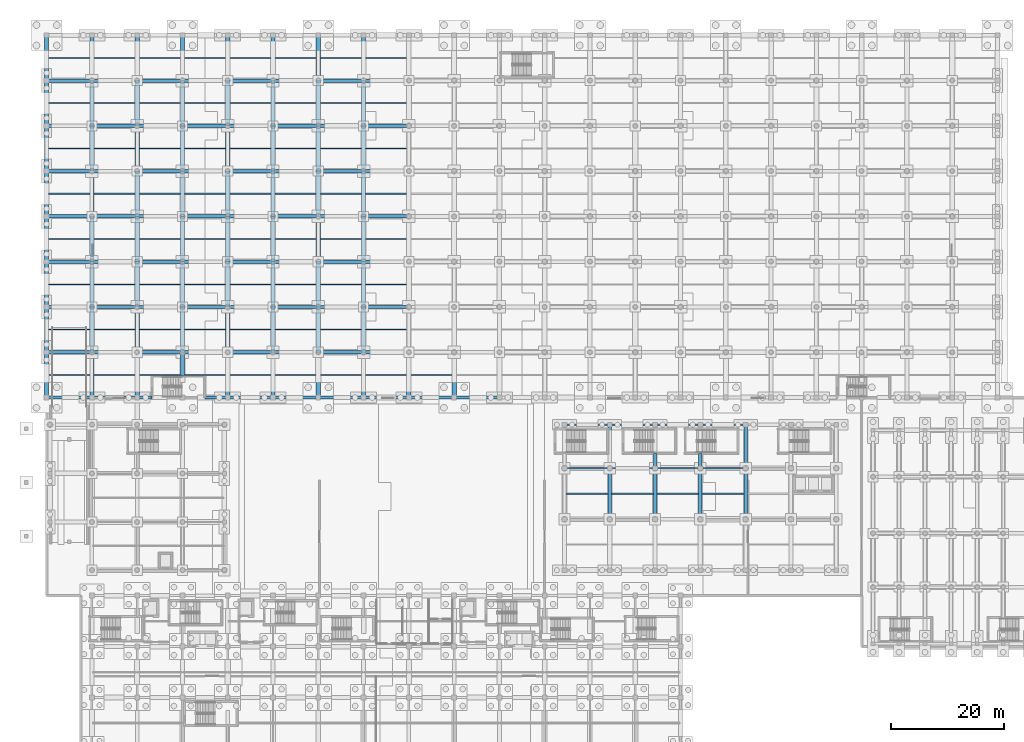
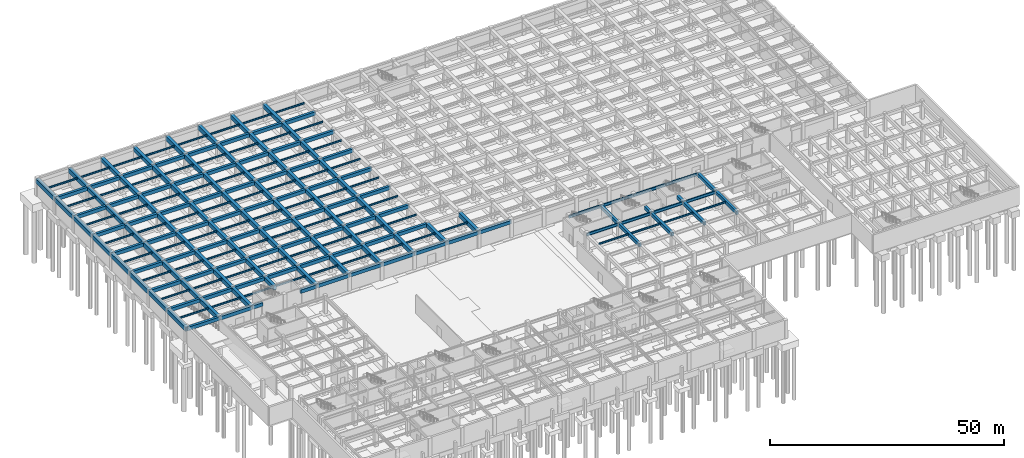
# One storey, part 20 of 48: 217 beams.
"""IFC4 building model written with IfcOpenShell, lengths in metres."""

from ifc_helpers import new_model, si_unit, direction, frame, origin, origin_2d, place, context, subcontext, project, spatial, rectangle, i_section, extrude, material, material_profile, profile_set, type_object, element, save


model = new_model("IFC4")

# Units and contexts
model_context = context("Model", 3, precision=1e-05, world=origin(), true_north=direction((0.0, 1.0)))
body_context = subcontext(model_context, "Body", "Model", "MODEL_VIEW")
ifc_project = project(units=[si_unit("LENGTHUNIT", "METRE"), si_unit("AREAUNIT", "SQUARE_METRE"), si_unit("VOLUMEUNIT", "CUBIC_METRE"), si_unit("PLANEANGLEUNIT", "RADIAN"), si_unit("MASSUNIT", "GRAM", prefix="KILO")], contexts=[model_context])

# Site, building, storey
site_placement = place(None, origin())
site = spatial("IfcSite", under=ifc_project, at=site_placement, CompositionType="ELEMENT")
building_placement = place(site_placement, origin())
building = spatial("IfcBuilding", under=site, at=building_placement, Name="Tlacozan Convention Centre", CompositionType="ELEMENT")
storey_placement = place(building_placement, frame((0.0, 0.0, -4.800048828125)))
storey = spatial("IfcBuildingStorey", under=building, at=storey_placement, Name="B01", CompositionType="ELEMENT", Elevation=-4.800048828125)

# Beams
ifc_material_1 = material(Name="Concrete C40/50", Category="concrete")
ifc_material_profile_1 = material_profile(ifc_material_1, rectangle(XDim=0.60009765625, YDim=0.89990234375, at=origin_2d()), Name="RC 600x900")
ifc_profile_set_1 = profile_set([ifc_material_profile_1], Name="Concrete C40/50")
beam_type_1 = type_object("IfcBeamType", Name="Girder RC 600x900", PredefinedType="BEAM", material=ifc_profile_set_1)
for number, where, z_axis, x_axis, name in (
    (1, (0.0, 62.0, 3.969970703125), (1.0, 0.0, 0.0), (0.0, 1.0, 0.0), "B01 Girder RC 600x900 945"),
    (2, (0.0, 70.0, 3.969970703125), (1.0, 0.0, 0.0), (0.0, 1.0, 0.0), "B01 Girder RC 600x900 946"),
    (3, (0.0, 78.0, 3.969970703125), (1.0, 0.0, 0.0), (0.0, 1.0, 0.0), "B01 Girder RC 600x900 947"),
    (4, (0.0, 86.0, 3.969970703125), (1.0, 0.0, 0.0), (0.0, 1.0, 0.0), "B01 Girder RC 600x900 948"),
    (5, (0.0, 94.0, 3.969970703125), (1.0, 0.0, 0.0), (0.0, 1.0, 0.0), "B01 Girder RC 600x900 949"),
    (6, (0.0, 102.0, 3.969970703125), (1.0, 0.0, 0.0), (0.0, 1.0, 0.0), "B01 Girder RC 600x900 950"),
    (7, (0.0, 110.0, 3.969970703125), (1.0, 0.0, 0.0), (0.0, 1.0, 0.0), "B01 Girder RC 600x900 951"),
    (8, (0.0, 118.0, 3.969970703125), (1.0, 0.0, 0.0), (0.0, 1.0, 0.0), "B01 Girder RC 600x900 952"),
    (9, (8.0, 62.0, 3.969970703125), (1.0, 0.0, 0.0), (0.0, 1.0, 0.0), "B01 Girder RC 600x900 962"),
    (10, (8.0, 70.0, 3.969970703125), (1.0, 0.0, 0.0), (0.0, 1.0, 0.0), "B01 Girder RC 600x900 963"),
    (11, (8.0, 78.0, 3.969970703125), (1.0, 0.0, 0.0), (0.0, 1.0, 0.0), "B01 Girder RC 600x900 964"),
    (12, (8.0, 86.0, 3.969970703125), (1.0, 0.0, 0.0), (0.0, 1.0, 0.0), "B01 Girder RC 600x900 965"),
    (13, (8.0, 94.0, 3.969970703125), (1.0, 0.0, 0.0), (0.0, 1.0, 0.0), "B01 Girder RC 600x900 966"),
    (14, (8.0, 102.0, 3.969970703125), (1.0, 0.0, 0.0), (0.0, 1.0, 0.0), "B01 Girder RC 600x900 967"),
    (15, (8.0, 110.0, 3.969970703125), (1.0, 0.0, 0.0), (0.0, 1.0, 0.0), "B01 Girder RC 600x900 968"),
    (16, (8.0, 118.0, 3.969970703125), (1.0, 0.0, 0.0), (0.0, 1.0, 0.0), "B01 Girder RC 600x900 969"),
):
    element("IfcBeam", number, at=place(storey_placement, frame(where, z_axis=z_axis, x_axis=x_axis)), inside=storey, type_object=beam_type_1, Name=name, PredefinedType="BEAM", context=body_context, shape_type="SweptSolid", body=[
        extrude(rectangle(XDim=0.60009765625, YDim=0.89990234375, at=origin_2d()), origin(), (0.0, 0.0, 1.0), 8.0),
    ])
beam_1_placement = place(storey_placement, frame((16.0, 62.0, 3.969970703125), z_axis=(1.0, 0.0, 0.0), x_axis=(0.0, 1.0, 0.0)))
element("IfcBeam", 17, at=beam_1_placement, inside=storey, type_object=beam_type_1, Name="B01 Girder RC 600x900 979", PredefinedType="BEAM", context=body_context, shape_type="SweptSolid", body=[
    extrude(rectangle(XDim=0.60009765625, YDim=0.89990234375, at=origin_2d()), origin(), (0.0, 0.0, 1.0), 2.639892578125),
])
for number, where, z_axis, x_axis, name in (
    (18, (16.0, 70.0, 3.969970703125), (1.0, 0.0, 0.0), (0.0, 1.0, 0.0), "B01 Girder RC 600x900 980"),
    (19, (16.0, 78.0, 3.969970703125), (1.0, 0.0, 0.0), (0.0, 1.0, 0.0), "B01 Girder RC 600x900 981"),
    (20, (16.0, 86.0, 3.969970703125), (1.0, 0.0, 0.0), (0.0, 1.0, 0.0), "B01 Girder RC 600x900 982"),
    (21, (16.0, 94.0, 3.969970703125), (1.0, 0.0, 0.0), (0.0, 1.0, 0.0), "B01 Girder RC 600x900 983"),
    (22, (16.0, 102.0, 3.969970703125), (1.0, 0.0, 0.0), (0.0, 1.0, 0.0), "B01 Girder RC 600x900 984"),
    (23, (16.0, 110.0, 3.969970703125), (1.0, 0.0, 0.0), (0.0, 1.0, 0.0), "B01 Girder RC 600x900 985"),
    (24, (16.0, 118.0, 3.969970703125), (1.0, 0.0, 0.0), (0.0, 1.0, 0.0), "B01 Girder RC 600x900 986"),
):
    element("IfcBeam", number, at=place(storey_placement, frame(where, z_axis=z_axis, x_axis=x_axis)), inside=storey, type_object=beam_type_1, Name=name, PredefinedType="BEAM", context=body_context, shape_type="SweptSolid", body=[
        extrude(rectangle(XDim=0.60009765625, YDim=0.89990234375, at=origin_2d()), origin(), (0.0, 0.0, 1.0), 8.0),
    ])
beam_2_placement = place(storey_placement, frame((27.9599609375, 62.0, 3.969970703125), z_axis=(1.0, 0.0, 0.0), x_axis=(0.0, 1.0, 0.0)))
element("IfcBeam", 25, at=beam_2_placement, inside=storey, type_object=beam_type_1, Name="B01 Girder RC 600x900 996", PredefinedType="BEAM", context=body_context, shape_type="SweptSolid", body=[
    extrude(rectangle(XDim=0.60009765625, YDim=0.89990234375, at=origin_2d()), origin(), (0.0, 0.0, 1.0), 4.0400390625),
])
for number, where, z_axis, x_axis, name in (
    (26, (24.0, 70.0, 3.969970703125), (1.0, 0.0, 0.0), (0.0, 1.0, 0.0), "B01 Girder RC 600x900 997"),
    (27, (24.0, 78.0, 3.969970703125), (1.0, 0.0, 0.0), (0.0, 1.0, 0.0), "B01 Girder RC 600x900 998"),
    (28, (24.0, 86.0, 3.969970703125), (1.0, 0.0, 0.0), (0.0, 1.0, 0.0), "B01 Girder RC 600x900 999"),
    (29, (24.0, 94.0, 3.969970703125), (1.0, 0.0, 0.0), (0.0, 1.0, 0.0), "B01 Girder RC 600x900 1000"),
    (30, (24.0, 102.0, 3.969970703125), (1.0, 0.0, 0.0), (0.0, 1.0, 0.0), "B01 Girder RC 600x900 1001"),
    (31, (24.0, 110.0, 3.969970703125), (1.0, 0.0, 0.0), (0.0, 1.0, 0.0), "B01 Girder RC 600x900 1002"),
    (32, (24.0, 118.0, 3.969970703125), (1.0, 0.0, 0.0), (0.0, 1.0, 0.0), "B01 Girder RC 600x900 1003"),
    (33, (32.0, 62.0, 3.969970703125), (1.0, 0.0, 0.0), (0.0, 1.0, 0.0), "B01 Girder RC 600x900 1013"),
    (34, (32.0, 70.0, 3.969970703125), (1.0, 0.0, 0.0), (0.0, 1.0, 0.0), "B01 Girder RC 600x900 1014"),
    (35, (32.0, 78.0, 3.969970703125), (1.0, 0.0, 0.0), (0.0, 1.0, 0.0), "B01 Girder RC 600x900 1015"),
    (36, (32.0, 86.0, 3.969970703125), (1.0, 0.0, 0.0), (0.0, 1.0, 0.0), "B01 Girder RC 600x900 1016"),
    (37, (32.0, 94.0, 3.969970703125), (1.0, 0.0, 0.0), (0.0, 1.0, 0.0), "B01 Girder RC 600x900 1017"),
    (38, (32.0, 102.0, 3.969970703125), (1.0, 0.0, 0.0), (0.0, 1.0, 0.0), "B01 Girder RC 600x900 1018"),
    (39, (32.0, 110.0, 3.969970703125), (1.0, 0.0, 0.0), (0.0, 1.0, 0.0), "B01 Girder RC 600x900 1019"),
    (40, (32.0, 118.0, 3.969970703125), (1.0, 0.0, 0.0), (0.0, 1.0, 0.0), "B01 Girder RC 600x900 1020"),
    (41, (40.0, 62.0, 3.969970703125), (1.0, 0.0, 0.0), (0.0, 1.0, 0.0), "B01 Girder RC 600x900 1030"),
    (42, (40.0, 70.0, 3.969970703125), (1.0, 0.0, 0.0), (0.0, 1.0, 0.0), "B01 Girder RC 600x900 1031"),
    (43, (40.0, 78.0, 3.969970703125), (1.0, 0.0, 0.0), (0.0, 1.0, 0.0), "B01 Girder RC 600x900 1032"),
    (44, (40.0, 86.0, 3.969970703125), (1.0, 0.0, 0.0), (0.0, 1.0, 0.0), "B01 Girder RC 600x900 1033"),
    (45, (40.0, 94.0, 3.969970703125), (1.0, 0.0, 0.0), (0.0, 1.0, 0.0), "B01 Girder RC 600x900 1034"),
    (46, (40.0, 102.0, 3.969970703125), (1.0, 0.0, 0.0), (0.0, 1.0, 0.0), "B01 Girder RC 600x900 1035"),
    (47, (40.0, 110.0, 3.969970703125), (1.0, 0.0, 0.0), (0.0, 1.0, 0.0), "B01 Girder RC 600x900 1036"),
    (48, (40.0, 118.0, 3.969970703125), (1.0, 0.0, 0.0), (0.0, 1.0, 0.0), "B01 Girder RC 600x900 1037"),
    (49, (48.0, 62.0, 3.969970703125), (1.0, 0.0, 0.0), (0.0, 1.0, 0.0), "B01 Girder RC 600x900 1047"),
    (50, (48.0, 70.0, 3.969970703125), (1.0, 0.0, 0.0), (0.0, 1.0, 0.0), "B01 Girder RC 600x900 1048"),
    (51, (48.0, 78.0, 3.969970703125), (1.0, 0.0, 0.0), (0.0, 1.0, 0.0), "B01 Girder RC 600x900 1049"),
    (52, (48.0, 86.0, 3.969970703125), (1.0, 0.0, 0.0), (0.0, 1.0, 0.0), "B01 Girder RC 600x900 1050"),
    (53, (48.0, 94.0, 3.969970703125), (1.0, 0.0, 0.0), (0.0, 1.0, 0.0), "B01 Girder RC 600x900 1051"),
    (54, (48.0, 102.0, 3.969970703125), (1.0, 0.0, 0.0), (0.0, 1.0, 0.0), "B01 Girder RC 600x900 1052"),
    (55, (48.0, 110.0, 3.969970703125), (1.0, 0.0, 0.0), (0.0, 1.0, 0.0), "B01 Girder RC 600x900 1053"),
    (56, (48.0, 118.0, 3.969970703125), (1.0, 0.0, 0.0), (0.0, 1.0, 0.0), "B01 Girder RC 600x900 1054"),
    (57, (56.0, 62.0, 3.969970703125), (1.0, 0.0, 0.0), (0.0, 1.0, 0.0), "B01 Girder RC 600x900 1064"),
    (58, (56.0, 70.0, 3.969970703125), (1.0, 0.0, 0.0), (0.0, 1.0, 0.0), "B01 Girder RC 600x900 1065"),
    (59, (56.0, 78.0, 3.969970703125), (1.0, 0.0, 0.0), (0.0, 1.0, 0.0), "B01 Girder RC 600x900 1066"),
    (60, (56.0, 86.0, 3.969970703125), (1.0, 0.0, 0.0), (0.0, 1.0, 0.0), "B01 Girder RC 600x900 1067"),
    (61, (56.0, 94.0, 3.969970703125), (1.0, 0.0, 0.0), (0.0, 1.0, 0.0), "B01 Girder RC 600x900 1068"),
    (62, (56.0, 102.0, 3.969970703125), (1.0, 0.0, 0.0), (0.0, 1.0, 0.0), "B01 Girder RC 600x900 1069"),
    (63, (56.0, 110.0, 3.969970703125), (1.0, 0.0, 0.0), (0.0, 1.0, 0.0), "B01 Girder RC 600x900 1070"),
    (64, (56.0, 118.0, 3.969970703125), (1.0, 0.0, 0.0), (0.0, 1.0, 0.0), "B01 Girder RC 600x900 1071"),
    (65, (64.0, 62.0, 3.969970703125), (1.0, 0.0, 0.0), (0.0, 1.0, 0.0), "B01 Girder RC 600x900 1081"),
    (66, (72.0, 62.0, 3.969970703125), (1.0, 0.0, 0.0), (0.0, 1.0, 0.0), "B01 Girder RC 600x900 1098"),
):
    element("IfcBeam", number, at=place(storey_placement, frame(where, z_axis=z_axis, x_axis=x_axis)), inside=storey, type_object=beam_type_1, Name=name, PredefinedType="BEAM", context=body_context, shape_type="SweptSolid", body=[
        extrude(rectangle(XDim=0.60009765625, YDim=0.89990234375, at=origin_2d()), origin(), (0.0, 0.0, 1.0), 8.0),
    ])
beam_3_placement = place(storey_placement, frame((99.5, 40.5, 3.989990234375), z_axis=(0.0, 1.0, 0.0), x_axis=(-1.0, 0.0, 0.0)))
element("IfcBeam", 67, at=beam_3_placement, inside=storey, type_object=beam_type_1, Name="B01 Girder RC 600x900 1355", PredefinedType="BEAM", context=body_context, shape_type="SweptSolid", body=[
    extrude(rectangle(XDim=0.60009765625, YDim=0.89990234375, at=origin_2d()), origin(), (0.0, 0.0, 1.0), 9.0),
])
beam_4_placement = place(storey_placement, frame((99.5, 49.5, 3.989990234375), z_axis=(0.0, 1.0, 0.0), x_axis=(-1.0, 0.0, 0.0)))
element("IfcBeam", 68, at=beam_4_placement, inside=storey, type_object=beam_type_1, Name="B01 Girder RC 600x900 1356", PredefinedType="BEAM", context=body_context, shape_type="SweptSolid", body=[
    extrude(rectangle(XDim=0.60009765625, YDim=0.89990234375, at=origin_2d()), origin(), (0.0, 0.0, 1.0), 7.699951171875),
])
beam_5_placement = place(storey_placement, frame((107.5, 40.5, 3.989990234375), z_axis=(0.0, 1.0, 0.0), x_axis=(-1.0, 0.0, 0.0)))
element("IfcBeam", 69, at=beam_5_placement, inside=storey, type_object=beam_type_1, Name="B01 Girder RC 600x900 1358", PredefinedType="BEAM", context=body_context, shape_type="SweptSolid", body=[
    extrude(rectangle(XDim=0.60009765625, YDim=0.89990234375, at=origin_2d()), origin(), (0.0, 0.0, 1.0), 9.0),
])
beam_6_placement = place(storey_placement, frame((107.5, 49.5, 3.989990234375), z_axis=(0.0, 1.0, 0.0), x_axis=(-1.0, 0.0, 0.0)))
element("IfcBeam", 70, at=beam_6_placement, inside=storey, type_object=beam_type_1, Name="B01 Girder RC 600x900 1359", PredefinedType="BEAM", context=body_context, shape_type="SweptSolid", body=[
    extrude(rectangle(XDim=0.60009765625, YDim=0.89990234375, at=origin_2d()), origin(), (0.0, 0.0, 1.0), 2.639892578125),
])
beam_7_placement = place(storey_placement, frame((115.5, 40.5, 3.989990234375), z_axis=(0.0, 1.0, 0.0), x_axis=(-1.0, 0.0, 0.0)))
element("IfcBeam", 71, at=beam_7_placement, inside=storey, type_object=beam_type_1, Name="B01 Girder RC 600x900 1361", PredefinedType="BEAM", context=body_context, shape_type="SweptSolid", body=[
    extrude(rectangle(XDim=0.60009765625, YDim=0.89990234375, at=origin_2d()), origin(), (0.0, 0.0, 1.0), 9.0),
])
beam_8_placement = place(storey_placement, frame((115.5, 49.5, 3.989990234375), z_axis=(0.0, 1.0, 0.0), x_axis=(-1.0, 0.0, 0.0)))
element("IfcBeam", 72, at=beam_8_placement, inside=storey, type_object=beam_type_1, Name="B01 Girder RC 600x900 1362", PredefinedType="BEAM", context=body_context, shape_type="SweptSolid", body=[
    extrude(rectangle(XDim=0.60009765625, YDim=0.89990234375, at=origin_2d()), origin(), (0.0, 0.0, 1.0), 2.639892578125),
])
beam_9_placement = place(storey_placement, frame((123.5, 40.5, 3.989990234375), z_axis=(0.0, 1.0, 0.0), x_axis=(-1.0, 0.0, 0.0)))
element("IfcBeam", 73, at=beam_9_placement, inside=storey, type_object=beam_type_1, Name="B01 Girder RC 600x900 1364", PredefinedType="BEAM", context=body_context, shape_type="SweptSolid", body=[
    extrude(rectangle(XDim=0.60009765625, YDim=0.89990234375, at=origin_2d()), origin(), (0.0, 0.0, 1.0), 9.0),
])
beam_10_placement = place(storey_placement, frame((123.5, 49.5, 3.989990234375), z_axis=(0.0, 1.0, 0.0), x_axis=(-1.0, 0.0, 0.0)))
element("IfcBeam", 74, at=beam_10_placement, inside=storey, type_object=beam_type_1, Name="B01 Girder RC 600x900 1365", PredefinedType="BEAM", context=body_context, shape_type="SweptSolid", body=[
    extrude(rectangle(XDim=0.60009765625, YDim=0.89990234375, at=origin_2d()), origin(), (0.0, 0.0, 1.0), 7.699951171875),
])
ifc_material_profile_2 = material_profile(ifc_material_1, rectangle(XDim=0.75, YDim=1.10009765625, at=origin_2d()), Name="RC 750x1100")
ifc_profile_set_2 = profile_set([ifc_material_profile_2], Name="Concrete C40/50")
beam_type_2 = type_object("IfcBeamType", Name="Girder RC 750x1100", PredefinedType="BEAM", material=ifc_profile_set_2)
for number, where, z_axis, x_axis, name in (
    (75, (0.0, 62.0, 3.8701171875), (0.0, 1.0, 0.0), (-1.0, 0.0, 0.0), "B01 Girder RC 750x1100 769"),
    (76, (0.0, 70.0, 3.8701171875), (0.0, 1.0, 0.0), (-1.0, 0.0, 0.0), "B01 Girder RC 750x1100 770"),
    (77, (0.0, 78.0, 3.8701171875), (0.0, 1.0, 0.0), (-1.0, 0.0, 0.0), "B01 Girder RC 750x1100 771"),
    (78, (0.0, 86.0, 3.8701171875), (0.0, 1.0, 0.0), (-1.0, 0.0, 0.0), "B01 Girder RC 750x1100 772"),
    (79, (0.0, 94.0, 3.8701171875), (0.0, 1.0, 0.0), (-1.0, 0.0, 0.0), "B01 Girder RC 750x1100 773"),
    (80, (0.0, 102.0, 3.8701171875), (0.0, 1.0, 0.0), (-1.0, 0.0, 0.0), "B01 Girder RC 750x1100 774"),
    (81, (0.0, 110.0, 3.8701171875), (0.0, 1.0, 0.0), (-1.0, 0.0, 0.0), "B01 Girder RC 750x1100 775"),
    (82, (0.0, 118.0, 3.8701171875), (0.0, 1.0, 0.0), (-1.0, 0.0, 0.0), "B01 Girder RC 750x1100 776"),
    (83, (8.0, 62.0, 3.8701171875), (0.0, 1.0, 0.0), (-1.0, 0.0, 0.0), "B01 Girder RC 750x1100 777"),
    (84, (8.0, 70.0, 3.8701171875), (0.0, 1.0, 0.0), (-1.0, 0.0, 0.0), "B01 Girder RC 750x1100 778"),
    (85, (8.0, 78.0, 3.8701171875), (0.0, 1.0, 0.0), (-1.0, 0.0, 0.0), "B01 Girder RC 750x1100 779"),
    (86, (8.0, 86.0, 3.8701171875), (0.0, 1.0, 0.0), (-1.0, 0.0, 0.0), "B01 Girder RC 750x1100 780"),
    (87, (8.0, 94.0, 3.8701171875), (0.0, 1.0, 0.0), (-1.0, 0.0, 0.0), "B01 Girder RC 750x1100 781"),
    (88, (8.0, 102.0, 3.8701171875), (0.0, 1.0, 0.0), (-1.0, 0.0, 0.0), "B01 Girder RC 750x1100 782"),
    (89, (8.0, 110.0, 3.8701171875), (0.0, 1.0, 0.0), (-1.0, 0.0, 0.0), "B01 Girder RC 750x1100 783"),
    (90, (8.0, 118.0, 3.8701171875), (0.0, 1.0, 0.0), (-1.0, 0.0, 0.0), "B01 Girder RC 750x1100 784"),
    (91, (16.0, 62.0, 3.8701171875), (0.0, 1.0, 0.0), (-1.0, 0.0, 0.0), "B01 Girder RC 750x1100 785"),
    (92, (16.0, 70.0, 3.8701171875), (0.0, 1.0, 0.0), (-1.0, 0.0, 0.0), "B01 Girder RC 750x1100 786"),
    (93, (16.0, 78.0, 3.8701171875), (0.0, 1.0, 0.0), (-1.0, 0.0, 0.0), "B01 Girder RC 750x1100 787"),
    (94, (16.0, 86.0, 3.8701171875), (0.0, 1.0, 0.0), (-1.0, 0.0, 0.0), "B01 Girder RC 750x1100 788"),
    (95, (16.0, 94.0, 3.8701171875), (0.0, 1.0, 0.0), (-1.0, 0.0, 0.0), "B01 Girder RC 750x1100 789"),
    (96, (16.0, 102.0, 3.8701171875), (0.0, 1.0, 0.0), (-1.0, 0.0, 0.0), "B01 Girder RC 750x1100 790"),
    (97, (16.0, 110.0, 3.8701171875), (0.0, 1.0, 0.0), (-1.0, 0.0, 0.0), "B01 Girder RC 750x1100 791"),
    (98, (16.0, 118.0, 3.8701171875), (0.0, 1.0, 0.0), (-1.0, 0.0, 0.0), "B01 Girder RC 750x1100 792"),
):
    element("IfcBeam", number, at=place(storey_placement, frame(where, z_axis=z_axis, x_axis=x_axis)), inside=storey, type_object=beam_type_2, Name=name, PredefinedType="BEAM", context=body_context, shape_type="SweptSolid", body=[
        extrude(rectangle(XDim=0.75, YDim=1.10009765625, at=origin_2d()), origin(), (0.0, 0.0, 1.0), 8.0),
    ])
beam_11_placement = place(storey_placement, frame((24.0, 65.860107421875, 3.8701171875), z_axis=(0.0, 1.0, 0.0), x_axis=(-1.0, 0.0, 0.0)))
element("IfcBeam", 99, at=beam_11_placement, inside=storey, type_object=beam_type_2, Name="B01 Girder RC 750x1100 793", PredefinedType="BEAM", context=body_context, shape_type="SweptSolid", body=[
    extrude(rectangle(XDim=0.75, YDim=1.10009765625, at=origin_2d()), origin(), (0.0, 0.0, 1.0), 4.139892578125),
])
for number, where, z_axis, x_axis, name in (
    (100, (24.0, 70.0, 3.8701171875), (0.0, 1.0, 0.0), (-1.0, 0.0, 0.0), "B01 Girder RC 750x1100 794"),
    (101, (24.0, 78.0, 3.8701171875), (0.0, 1.0, 0.0), (-1.0, 0.0, 0.0), "B01 Girder RC 750x1100 795"),
    (102, (24.0, 86.0, 3.8701171875), (0.0, 1.0, 0.0), (-1.0, 0.0, 0.0), "B01 Girder RC 750x1100 796"),
    (103, (24.0, 94.0, 3.8701171875), (0.0, 1.0, 0.0), (-1.0, 0.0, 0.0), "B01 Girder RC 750x1100 797"),
    (104, (24.0, 102.0, 3.8701171875), (0.0, 1.0, 0.0), (-1.0, 0.0, 0.0), "B01 Girder RC 750x1100 798"),
    (105, (24.0, 110.0, 3.8701171875), (0.0, 1.0, 0.0), (-1.0, 0.0, 0.0), "B01 Girder RC 750x1100 799"),
    (106, (24.0, 118.0, 3.8701171875), (0.0, 1.0, 0.0), (-1.0, 0.0, 0.0), "B01 Girder RC 750x1100 800"),
    (107, (32.0, 62.0, 3.8701171875), (0.0, 1.0, 0.0), (-1.0, 0.0, 0.0), "B01 Girder RC 750x1100 801"),
    (108, (32.0, 70.0, 3.8701171875), (0.0, 1.0, 0.0), (-1.0, 0.0, 0.0), "B01 Girder RC 750x1100 802"),
    (109, (32.0, 78.0, 3.8701171875), (0.0, 1.0, 0.0), (-1.0, 0.0, 0.0), "B01 Girder RC 750x1100 803"),
    (110, (32.0, 86.0, 3.8701171875), (0.0, 1.0, 0.0), (-1.0, 0.0, 0.0), "B01 Girder RC 750x1100 804"),
    (111, (32.0, 94.0, 3.8701171875), (0.0, 1.0, 0.0), (-1.0, 0.0, 0.0), "B01 Girder RC 750x1100 805"),
    (112, (32.0, 102.0, 3.8701171875), (0.0, 1.0, 0.0), (-1.0, 0.0, 0.0), "B01 Girder RC 750x1100 806"),
    (113, (32.0, 110.0, 3.8701171875), (0.0, 1.0, 0.0), (-1.0, 0.0, 0.0), "B01 Girder RC 750x1100 807"),
    (114, (32.0, 118.0, 3.8701171875), (0.0, 1.0, 0.0), (-1.0, 0.0, 0.0), "B01 Girder RC 750x1100 808"),
    (115, (40.0, 62.0, 3.8701171875), (0.0, 1.0, 0.0), (-1.0, 0.0, 0.0), "B01 Girder RC 750x1100 809"),
    (116, (40.0, 70.0, 3.8701171875), (0.0, 1.0, 0.0), (-1.0, 0.0, 0.0), "B01 Girder RC 750x1100 810"),
    (117, (40.0, 78.0, 3.8701171875), (0.0, 1.0, 0.0), (-1.0, 0.0, 0.0), "B01 Girder RC 750x1100 811"),
    (118, (40.0, 86.0, 3.8701171875), (0.0, 1.0, 0.0), (-1.0, 0.0, 0.0), "B01 Girder RC 750x1100 812"),
    (119, (40.0, 94.0, 3.8701171875), (0.0, 1.0, 0.0), (-1.0, 0.0, 0.0), "B01 Girder RC 750x1100 813"),
    (120, (40.0, 102.0, 3.8701171875), (0.0, 1.0, 0.0), (-1.0, 0.0, 0.0), "B01 Girder RC 750x1100 814"),
    (121, (40.0, 110.0, 3.8701171875), (0.0, 1.0, 0.0), (-1.0, 0.0, 0.0), "B01 Girder RC 750x1100 815"),
    (122, (40.0, 118.0, 3.8701171875), (0.0, 1.0, 0.0), (-1.0, 0.0, 0.0), "B01 Girder RC 750x1100 816"),
    (123, (48.0, 62.0, 3.8701171875), (0.0, 1.0, 0.0), (-1.0, 0.0, 0.0), "B01 Girder RC 750x1100 817"),
    (124, (48.0, 70.0, 3.8701171875), (0.0, 1.0, 0.0), (-1.0, 0.0, 0.0), "B01 Girder RC 750x1100 818"),
    (125, (48.0, 78.0, 3.8701171875), (0.0, 1.0, 0.0), (-1.0, 0.0, 0.0), "B01 Girder RC 750x1100 819"),
    (126, (48.0, 86.0, 3.8701171875), (0.0, 1.0, 0.0), (-1.0, 0.0, 0.0), "B01 Girder RC 750x1100 820"),
    (127, (48.0, 94.0, 3.8701171875), (0.0, 1.0, 0.0), (-1.0, 0.0, 0.0), "B01 Girder RC 750x1100 821"),
    (128, (48.0, 102.0, 3.8701171875), (0.0, 1.0, 0.0), (-1.0, 0.0, 0.0), "B01 Girder RC 750x1100 822"),
    (129, (48.0, 110.0, 3.8701171875), (0.0, 1.0, 0.0), (-1.0, 0.0, 0.0), "B01 Girder RC 750x1100 823"),
    (130, (48.0, 118.0, 3.8701171875), (0.0, 1.0, 0.0), (-1.0, 0.0, 0.0), "B01 Girder RC 750x1100 824"),
    (131, (56.0, 62.0, 3.8701171875), (0.0, 1.0, 0.0), (-1.0, 0.0, 0.0), "B01 Girder RC 750x1100 825"),
    (132, (56.0, 70.0, 3.8701171875), (0.0, 1.0, 0.0), (-1.0, 0.0, 0.0), "B01 Girder RC 750x1100 826"),
    (133, (56.0, 78.0, 3.8701171875), (0.0, 1.0, 0.0), (-1.0, 0.0, 0.0), "B01 Girder RC 750x1100 827"),
    (134, (56.0, 86.0, 3.8701171875), (0.0, 1.0, 0.0), (-1.0, 0.0, 0.0), "B01 Girder RC 750x1100 828"),
    (135, (56.0, 94.0, 3.8701171875), (0.0, 1.0, 0.0), (-1.0, 0.0, 0.0), "B01 Girder RC 750x1100 829"),
    (136, (56.0, 102.0, 3.8701171875), (0.0, 1.0, 0.0), (-1.0, 0.0, 0.0), "B01 Girder RC 750x1100 830"),
    (137, (56.0, 110.0, 3.8701171875), (0.0, 1.0, 0.0), (-1.0, 0.0, 0.0), "B01 Girder RC 750x1100 831"),
    (138, (56.0, 118.0, 3.8701171875), (0.0, 1.0, 0.0), (-1.0, 0.0, 0.0), "B01 Girder RC 750x1100 832"),
    (139, (64.0, 62.0, 3.8701171875), (0.0, 1.0, 0.0), (-1.0, 0.0, 0.0), "B01 Girder RC 750x1100 833"),
    (140, (72.0, 62.0, 3.8701171875), (0.0, 1.0, 0.0), (-1.0, 0.0, 0.0), "B01 Girder RC 750x1100 841"),
):
    element("IfcBeam", number, at=place(storey_placement, frame(where, z_axis=z_axis, x_axis=x_axis)), inside=storey, type_object=beam_type_2, Name=name, PredefinedType="BEAM", context=body_context, shape_type="SweptSolid", body=[
        extrude(rectangle(XDim=0.75, YDim=1.10009765625, at=origin_2d()), origin(), (0.0, 0.0, 1.0), 8.0),
    ])
ifc_material_2 = material(Name="Steel ASTM A992 Grade 50", Category="steel")
ifc_material_profile_3 = material_profile(ifc_material_2, i_section(OverallWidth=0.26806640625, OverallDepth=0.77001953125, WebThickness=0.015625, FlangeThickness=0.025390625, FilletRadius=0.01708984375, at=origin_2d()), Name="IR 762x196.0")
ifc_profile_set_3 = profile_set([ifc_material_profile_3], Name="Steel ASTM A992 Grade 50")
beam_type_3 = type_object("IfcBeamType", Name="Girder Steel IR 762x196", PredefinedType="BEAM", material=ifc_profile_set_3)
for number, where, z_axis, x_axis, name in (
    (141, (91.5, 49.5, 4.054931640625), (1.0, 0.0, 0.0), (0.0, 1.0, 0.0), "B01 Girder Steel IR 762x196 1374"),
    (142, (91.5, 57.199951171875, 4.054931640625), (1.0, 0.0, 0.0), (0.0, 1.0, 0.0), "B01 Girder Steel IR 762x196 1375"),
    (143, (99.5, 49.5, 4.054931640625), (1.0, 0.0, 0.0), (0.0, 1.0, 0.0), "B01 Girder Steel IR 762x196 1380"),
    (144, (99.5, 57.199951171875, 4.054931640625), (1.0, 0.0, 0.0), (0.0, 1.0, 0.0), "B01 Girder Steel IR 762x196 1381"),
    (145, (107.5, 49.5, 4.054931640625), (1.0, 0.0, 0.0), (0.0, 1.0, 0.0), "B01 Girder Steel IR 762x196 1386"),
    (146, (107.5, 57.199951171875, 4.054931640625), (1.0, 0.0, 0.0), (0.0, 1.0, 0.0), "B01 Girder Steel IR 762x196 1387"),
    (147, (115.5, 49.5, 4.054931640625), (1.0, 0.0, 0.0), (0.0, 1.0, 0.0), "B01 Girder Steel IR 762x196 1392"),
    (148, (115.5, 57.199951171875, 4.054931640625), (1.0, 0.0, 0.0), (0.0, 1.0, 0.0), "B01 Girder Steel IR 762x196 1393"),
):
    element("IfcBeam", number, at=place(storey_placement, frame(where, z_axis=z_axis, x_axis=x_axis)), inside=storey, type_object=beam_type_3, Name=name, PredefinedType="BEAM", context=body_context, shape_type="SweptSolid", body=[
        extrude(i_section(OverallWidth=0.26806640625, OverallDepth=0.77001953125, WebThickness=0.015625, FlangeThickness=0.025390625, FilletRadius=0.01708984375, at=origin_2d()), origin(), (0.0, 0.0, 1.0), 8.0),
    ])
ifc_material_profile_4 = material_profile(ifc_material_2, i_section(OverallWidth=0.19189453125, OverallDepth=0.462890625, WebThickness=0.010498046875, FlangeThickness=0.017578125, FilletRadius=0.010986328125, at=origin_2d()), Name="IR 457x89.3")
ifc_profile_set_4 = profile_set([ifc_material_profile_4], Name="Steel ASTM A992 Grade 50")
beam_type_4 = type_object("IfcBeamType", Name="Secondary Joist IR 457x89.3", PredefinedType="JOIST", material=ifc_profile_set_4)
for number, where, z_axis, x_axis, name in (
    (149, (0.373046875, 66.0, 4.1884765625), (1.0, 0.0, 0.0), (0.0, 1.0, 0.0), "B01 Secondary Joist IR 457x89.3 954"),
    (150, (0.373046875, 74.0, 4.1884765625), (1.0, 0.0, 0.0), (0.0, 1.0, 0.0), "B01 Secondary Joist IR 457x89.3 955"),
    (151, (0.373046875, 82.0, 4.1884765625), (1.0, 0.0, 0.0), (0.0, 1.0, 0.0), "B01 Secondary Joist IR 457x89.3 956"),
    (152, (0.373046875, 90.0, 4.1884765625), (1.0, 0.0, 0.0), (0.0, 1.0, 0.0), "B01 Secondary Joist IR 457x89.3 957"),
    (153, (0.373046875, 98.0, 4.1884765625), (1.0, 0.0, 0.0), (0.0, 1.0, 0.0), "B01 Secondary Joist IR 457x89.3 958"),
    (154, (0.373046875, 106.0, 4.1884765625), (1.0, 0.0, 0.0), (0.0, 1.0, 0.0), "B01 Secondary Joist IR 457x89.3 959"),
    (155, (0.373046875, 114.0, 4.1884765625), (1.0, 0.0, 0.0), (0.0, 1.0, 0.0), "B01 Secondary Joist IR 457x89.3 960"),
    (156, (0.373046875, 122.0, 4.1884765625), (1.0, 0.0, 0.0), (0.0, 1.0, 0.0), "B01 Secondary Joist IR 457x89.3 961"),
    (157, (8.373046875, 66.0, 4.1884765625), (1.0, 0.0, 0.0), (0.0, 1.0, 0.0), "B01 Secondary Joist IR 457x89.3 971"),
    (158, (8.373046875, 74.0, 4.1884765625), (1.0, 0.0, 0.0), (0.0, 1.0, 0.0), "B01 Secondary Joist IR 457x89.3 972"),
    (159, (8.373046875, 82.0, 4.1884765625), (1.0, 0.0, 0.0), (0.0, 1.0, 0.0), "B01 Secondary Joist IR 457x89.3 973"),
    (160, (8.373046875, 90.0, 4.1884765625), (1.0, 0.0, 0.0), (0.0, 1.0, 0.0), "B01 Secondary Joist IR 457x89.3 974"),
    (161, (8.373046875, 98.0, 4.1884765625), (1.0, 0.0, 0.0), (0.0, 1.0, 0.0), "B01 Secondary Joist IR 457x89.3 975"),
    (162, (8.373046875, 106.0, 4.1884765625), (1.0, 0.0, 0.0), (0.0, 1.0, 0.0), "B01 Secondary Joist IR 457x89.3 976"),
    (163, (8.373046875, 114.0, 4.1884765625), (1.0, 0.0, 0.0), (0.0, 1.0, 0.0), "B01 Secondary Joist IR 457x89.3 977"),
    (164, (8.373046875, 122.0, 4.1884765625), (1.0, 0.0, 0.0), (0.0, 1.0, 0.0), "B01 Secondary Joist IR 457x89.3 978"),
    (165, (16.373046875, 66.0, 4.1884765625), (1.0, 0.0, 0.0), (0.0, 1.0, 0.0), "B01 Secondary Joist IR 457x89.3 988"),
    (166, (16.373046875, 74.0, 4.1884765625), (1.0, 0.0, 0.0), (0.0, 1.0, 0.0), "B01 Secondary Joist IR 457x89.3 989"),
    (167, (16.373046875, 82.0, 4.1884765625), (1.0, 0.0, 0.0), (0.0, 1.0, 0.0), "B01 Secondary Joist IR 457x89.3 990"),
    (168, (16.373046875, 90.0, 4.1884765625), (1.0, 0.0, 0.0), (0.0, 1.0, 0.0), "B01 Secondary Joist IR 457x89.3 991"),
    (169, (16.373046875, 98.0, 4.1884765625), (1.0, 0.0, 0.0), (0.0, 1.0, 0.0), "B01 Secondary Joist IR 457x89.3 992"),
    (170, (16.373046875, 106.0, 4.1884765625), (1.0, 0.0, 0.0), (0.0, 1.0, 0.0), "B01 Secondary Joist IR 457x89.3 993"),
    (171, (16.373046875, 114.0, 4.1884765625), (1.0, 0.0, 0.0), (0.0, 1.0, 0.0), "B01 Secondary Joist IR 457x89.3 994"),
    (172, (16.373046875, 122.0, 4.1884765625), (1.0, 0.0, 0.0), (0.0, 1.0, 0.0), "B01 Secondary Joist IR 457x89.3 995"),
    (173, (24.373046875, 66.0, 4.1884765625), (1.0, 0.0, 0.0), (0.0, 1.0, 0.0), "B01 Secondary Joist IR 457x89.3 1005"),
    (174, (24.373046875, 74.0, 4.1884765625), (1.0, 0.0, 0.0), (0.0, 1.0, 0.0), "B01 Secondary Joist IR 457x89.3 1006"),
    (175, (24.373046875, 82.0, 4.1884765625), (1.0, 0.0, 0.0), (0.0, 1.0, 0.0), "B01 Secondary Joist IR 457x89.3 1007"),
    (176, (24.373046875, 90.0, 4.1884765625), (1.0, 0.0, 0.0), (0.0, 1.0, 0.0), "B01 Secondary Joist IR 457x89.3 1008"),
    (177, (24.373046875, 98.0, 4.1884765625), (1.0, 0.0, 0.0), (0.0, 1.0, 0.0), "B01 Secondary Joist IR 457x89.3 1009"),
    (178, (24.373046875, 106.0, 4.1884765625), (1.0, 0.0, 0.0), (0.0, 1.0, 0.0), "B01 Secondary Joist IR 457x89.3 1010"),
    (179, (24.373046875, 114.0, 4.1884765625), (1.0, 0.0, 0.0), (0.0, 1.0, 0.0), "B01 Secondary Joist IR 457x89.3 1011"),
    (180, (24.373046875, 122.0, 4.1884765625), (1.0, 0.0, 0.0), (0.0, 1.0, 0.0), "B01 Secondary Joist IR 457x89.3 1012"),
    (181, (32.373046875, 66.0, 4.1884765625), (1.0, 0.0, 0.0), (0.0, 1.0, 0.0), "B01 Secondary Joist IR 457x89.3 1022"),
    (182, (32.373046875, 74.0, 4.1884765625), (1.0, 0.0, 0.0), (0.0, 1.0, 0.0), "B01 Secondary Joist IR 457x89.3 1023"),
    (183, (32.373046875, 82.0, 4.1884765625), (1.0, 0.0, 0.0), (0.0, 1.0, 0.0), "B01 Secondary Joist IR 457x89.3 1024"),
    (184, (32.373046875, 90.0, 4.1884765625), (1.0, 0.0, 0.0), (0.0, 1.0, 0.0), "B01 Secondary Joist IR 457x89.3 1025"),
    (185, (32.373046875, 98.0, 4.1884765625), (1.0, 0.0, 0.0), (0.0, 1.0, 0.0), "B01 Secondary Joist IR 457x89.3 1026"),
    (186, (32.373046875, 106.0, 4.1884765625), (1.0, 0.0, 0.0), (0.0, 1.0, 0.0), "B01 Secondary Joist IR 457x89.3 1027"),
    (187, (32.373046875, 114.0, 4.1884765625), (1.0, 0.0, 0.0), (0.0, 1.0, 0.0), "B01 Secondary Joist IR 457x89.3 1028"),
    (188, (32.373046875, 122.0, 4.1884765625), (1.0, 0.0, 0.0), (0.0, 1.0, 0.0), "B01 Secondary Joist IR 457x89.3 1029"),
    (189, (40.373046875, 66.0, 4.1884765625), (1.0, 0.0, 0.0), (0.0, 1.0, 0.0), "B01 Secondary Joist IR 457x89.3 1039"),
    (190, (40.373046875, 74.0, 4.1884765625), (1.0, 0.0, 0.0), (0.0, 1.0, 0.0), "B01 Secondary Joist IR 457x89.3 1040"),
    (191, (40.373046875, 82.0, 4.1884765625), (1.0, 0.0, 0.0), (0.0, 1.0, 0.0), "B01 Secondary Joist IR 457x89.3 1041"),
    (192, (40.373046875, 90.0, 4.1884765625), (1.0, 0.0, 0.0), (0.0, 1.0, 0.0), "B01 Secondary Joist IR 457x89.3 1042"),
    (193, (40.373046875, 98.0, 4.1884765625), (1.0, 0.0, 0.0), (0.0, 1.0, 0.0), "B01 Secondary Joist IR 457x89.3 1043"),
    (194, (40.373046875, 106.0, 4.1884765625), (1.0, 0.0, 0.0), (0.0, 1.0, 0.0), "B01 Secondary Joist IR 457x89.3 1044"),
    (195, (40.373046875, 114.0, 4.1884765625), (1.0, 0.0, 0.0), (0.0, 1.0, 0.0), "B01 Secondary Joist IR 457x89.3 1045"),
    (196, (40.373046875, 122.0, 4.1884765625), (1.0, 0.0, 0.0), (0.0, 1.0, 0.0), "B01 Secondary Joist IR 457x89.3 1046"),
    (197, (48.373046875, 66.0, 4.1884765625), (1.0, 0.0, 0.0), (0.0, 1.0, 0.0), "B01 Secondary Joist IR 457x89.3 1056"),
    (198, (48.373046875, 74.0, 4.1884765625), (1.0, 0.0, 0.0), (0.0, 1.0, 0.0), "B01 Secondary Joist IR 457x89.3 1057"),
    (199, (48.373046875, 82.0, 4.1884765625), (1.0, 0.0, 0.0), (0.0, 1.0, 0.0), "B01 Secondary Joist IR 457x89.3 1058"),
    (200, (48.373046875, 90.0, 4.1884765625), (1.0, 0.0, 0.0), (0.0, 1.0, 0.0), "B01 Secondary Joist IR 457x89.3 1059"),
    (201, (48.373046875, 98.0, 4.1884765625), (1.0, 0.0, 0.0), (0.0, 1.0, 0.0), "B01 Secondary Joist IR 457x89.3 1060"),
    (202, (48.373046875, 106.0, 4.1884765625), (1.0, 0.0, 0.0), (0.0, 1.0, 0.0), "B01 Secondary Joist IR 457x89.3 1061"),
    (203, (48.373046875, 114.0, 4.1884765625), (1.0, 0.0, 0.0), (0.0, 1.0, 0.0), "B01 Secondary Joist IR 457x89.3 1062"),
    (204, (48.373046875, 122.0, 4.1884765625), (1.0, 0.0, 0.0), (0.0, 1.0, 0.0), "B01 Secondary Joist IR 457x89.3 1063"),
    (205, (56.373046875, 66.0, 4.1884765625), (1.0, 0.0, 0.0), (0.0, 1.0, 0.0), "B01 Secondary Joist IR 457x89.3 1073"),
    (206, (56.373046875, 74.0, 4.1884765625), (1.0, 0.0, 0.0), (0.0, 1.0, 0.0), "B01 Secondary Joist IR 457x89.3 1074"),
    (207, (56.373046875, 82.0, 4.1884765625), (1.0, 0.0, 0.0), (0.0, 1.0, 0.0), "B01 Secondary Joist IR 457x89.3 1075"),
    (208, (56.373046875, 90.0, 4.1884765625), (1.0, 0.0, 0.0), (0.0, 1.0, 0.0), "B01 Secondary Joist IR 457x89.3 1076"),
    (209, (56.373046875, 98.0, 4.1884765625), (1.0, 0.0, 0.0), (0.0, 1.0, 0.0), "B01 Secondary Joist IR 457x89.3 1077"),
    (210, (56.373046875, 106.0, 4.1884765625), (1.0, 0.0, 0.0), (0.0, 1.0, 0.0), "B01 Secondary Joist IR 457x89.3 1078"),
    (211, (56.373046875, 114.0, 4.1884765625), (1.0, 0.0, 0.0), (0.0, 1.0, 0.0), "B01 Secondary Joist IR 457x89.3 1079"),
    (212, (56.373046875, 122.0, 4.1884765625), (1.0, 0.0, 0.0), (0.0, 1.0, 0.0), "B01 Secondary Joist IR 457x89.3 1080"),
    (213, (64.373046875, 66.0, 4.1884765625), (1.0, 0.0, 0.0), (0.0, 1.0, 0.0), "B01 Secondary Joist IR 457x89.3 1090"),
):
    element("IfcBeam", number, at=place(storey_placement, frame(where, z_axis=z_axis, x_axis=x_axis)), inside=storey, type_object=beam_type_4, Name=name, PredefinedType="JOIST", context=body_context, shape_type="SweptSolid", body=[
        extrude(i_section(OverallWidth=0.19189453125, OverallDepth=0.462890625, WebThickness=0.010498046875, FlangeThickness=0.017578125, FilletRadius=0.010986328125, at=origin_2d()), origin(), (0.0, 0.0, 1.0), 7.25390625),
    ])
for number, where, z_axis, x_axis, name in (
    (214, (91.798095703125, 45.0, 4.20849609375), (1.0, 0.0, 0.0), (0.0, 1.0, 0.0), "B01 Secondary Joist IR 457x89.3 1377"),
    (215, (99.798095703125, 45.0, 4.20849609375), (1.0, 0.0, 0.0), (0.0, 1.0, 0.0), "B01 Secondary Joist IR 457x89.3 1383"),
    (216, (107.798095703125, 45.0, 4.20849609375), (1.0, 0.0, 0.0), (0.0, 1.0, 0.0), "B01 Secondary Joist IR 457x89.3 1389"),
    (217, (115.798095703125, 45.0, 4.20849609375), (1.0, 0.0, 0.0), (0.0, 1.0, 0.0), "B01 Secondary Joist IR 457x89.3 1395"),
):
    element("IfcBeam", number, at=place(storey_placement, frame(where, z_axis=z_axis, x_axis=x_axis)), inside=storey, type_object=beam_type_4, Name=name, PredefinedType="JOIST", context=body_context, shape_type="SweptSolid", body=[
        extrude(i_section(OverallWidth=0.19189453125, OverallDepth=0.462890625, WebThickness=0.010498046875, FlangeThickness=0.017578125, FilletRadius=0.010986328125, at=origin_2d()), origin(), (0.0, 0.0, 1.0), 7.40380859375),
    ])

save(model, "model.ifc")
